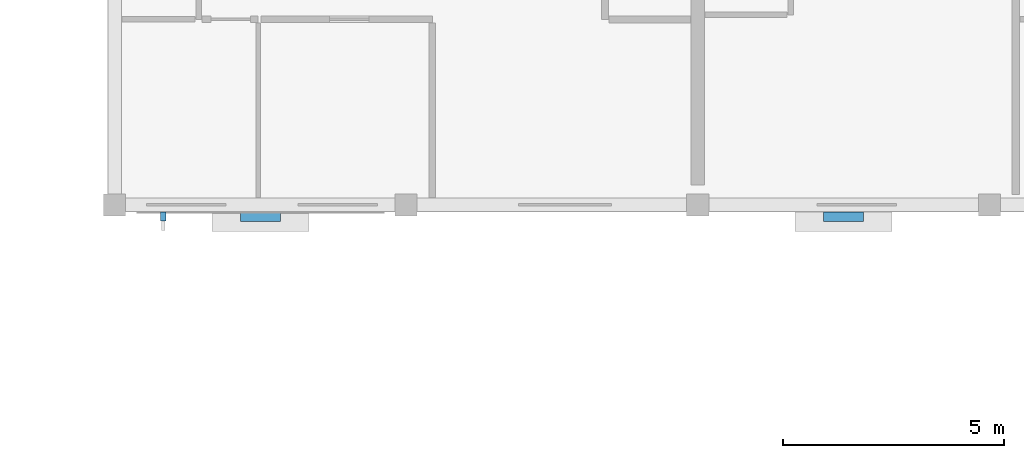
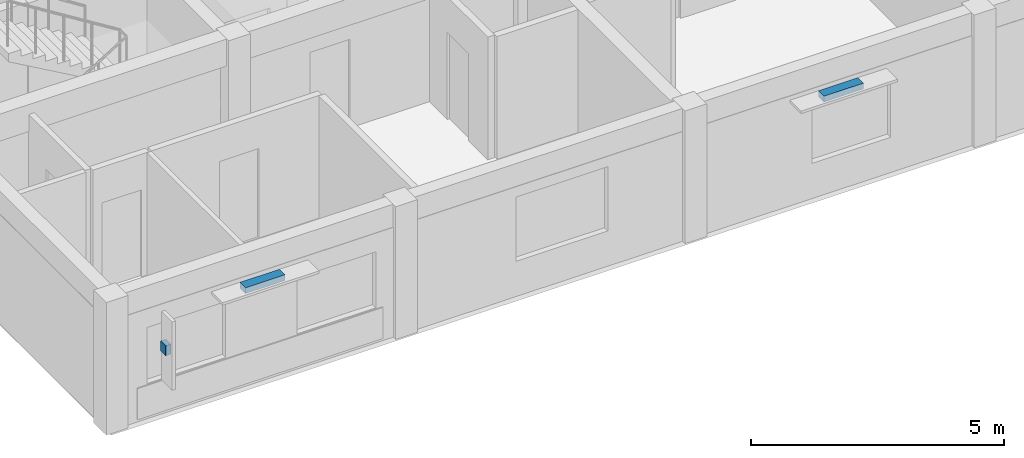
# One storey, part 46 of 53: 3 discrete accessories.
"""IFC4 building model written with IfcOpenShell, lengths in metres."""

from ifc_helpers import new_model, si_unit, direction, frame, origin, origin_2d, place, context, subcontext, project, spatial, rectangle, extrude, material, type_object, element, save


model = new_model("IFC4")

# Units and contexts
model_context = context("Model", 3, precision=1e-05, world=origin(), true_north=direction((0.0, 1.0)))
body_context = subcontext(model_context, "Body", "Model", "MODEL_VIEW")
ifc_project = project(units=[si_unit("LENGTHUNIT", "METRE"), si_unit("AREAUNIT", "SQUARE_METRE"), si_unit("VOLUMEUNIT", "CUBIC_METRE"), si_unit("PLANEANGLEUNIT", "RADIAN"), si_unit("MASSUNIT", "GRAM", prefix="KILO")], contexts=[model_context])

# Site, building, storey
site_placement = place(None, origin())
site = spatial("IfcSite", under=ifc_project, at=site_placement, CompositionType="ELEMENT")
building_placement = place(site_placement, origin())
building = spatial("IfcBuilding", under=site, at=building_placement, Name="Kernevlak Ridge Housing Community", CompositionType="ELEMENT")
storey_placement = place(building_placement, frame((0.0, 0.0, 18.0)))
storey = spatial("IfcBuildingStorey", under=building, at=storey_placement, Name="L05", CompositionType="ELEMENT", Elevation=18.0)

# Discrete accessories
ifc_material = material(Name="Steel S355 galvanised", Category="steel")
discrete_accessory_type = type_object("IfcDiscreteAccessoryType", Name="BK-01", PredefinedType="BRACKET", material=ifc_material)
discrete_accessory_1_placement = place(storey_placement, frame((122.699951171875, 82.330078125, 2.41015625), z_axis=(0.0, 0.0, 1.0), x_axis=(1.0, 0.0, 0.0)))
element("IfcDiscreteAccessory", 1, at=discrete_accessory_1_placement, inside=storey, type_object=discrete_accessory_type, Name="Sunshade steel bracket 19", PredefinedType="BRACKET", context=body_context, shape_type="SweptSolid", body=[
    extrude(rectangle(XDim=0.89990234375, YDim=0.219970703125, at=origin_2d()), origin(), (0.0, 0.0, 1.0), 0.139892578125),
])
discrete_accessory_2_placement = place(storey_placement, frame((120.5, 82.340087890625, 1.52978515625), z_axis=(0.0, 0.0, 1.0), x_axis=(1.0, 0.0, 0.0)))
element("IfcDiscreteAccessory", 2, at=discrete_accessory_2_placement, inside=storey, type_object=discrete_accessory_type, Name="Vertical fin fixing bracket 19", PredefinedType="BRACKET", context=body_context, shape_type="SweptSolid", body=[
    extrude(rectangle(XDim=0.1201171875, YDim=0.199951171875, at=origin_2d()), origin(), (0.0, 0.0, 1.0), 0.239990234375),
])
discrete_accessory_3_placement = place(storey_placement, frame((135.89990234375, 82.330078125, 2.41015625), z_axis=(0.0, 0.0, 1.0), x_axis=(1.0, 0.0, 0.0)))
element("IfcDiscreteAccessory", 3, at=discrete_accessory_3_placement, inside=storey, type_object=discrete_accessory_type, Name="Sunshade steel bracket 20", PredefinedType="BRACKET", context=body_context, shape_type="SweptSolid", body=[
    extrude(rectangle(XDim=0.89990234375, YDim=0.219970703125, at=origin_2d()), origin(), (0.0, 0.0, 1.0), 0.139892578125),
])

save(model, "model.ifc")
